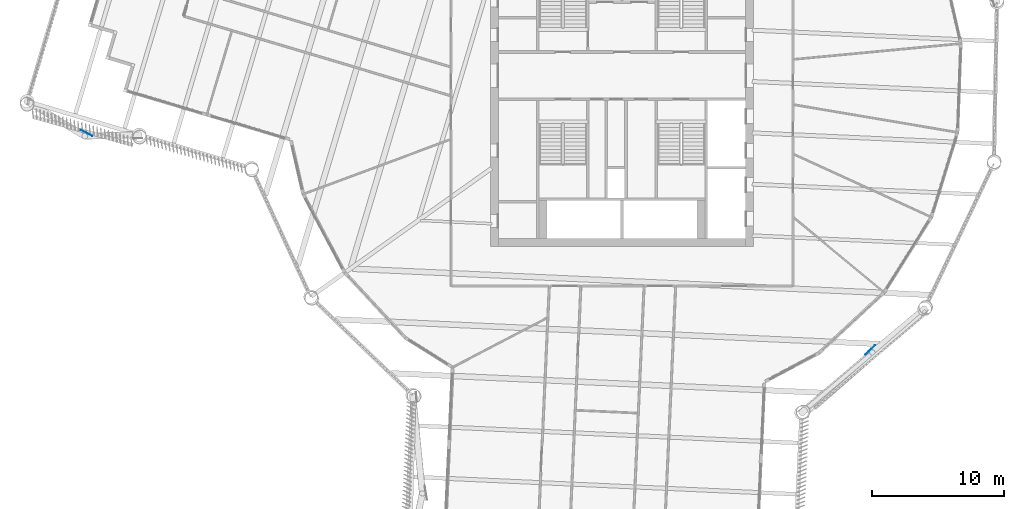
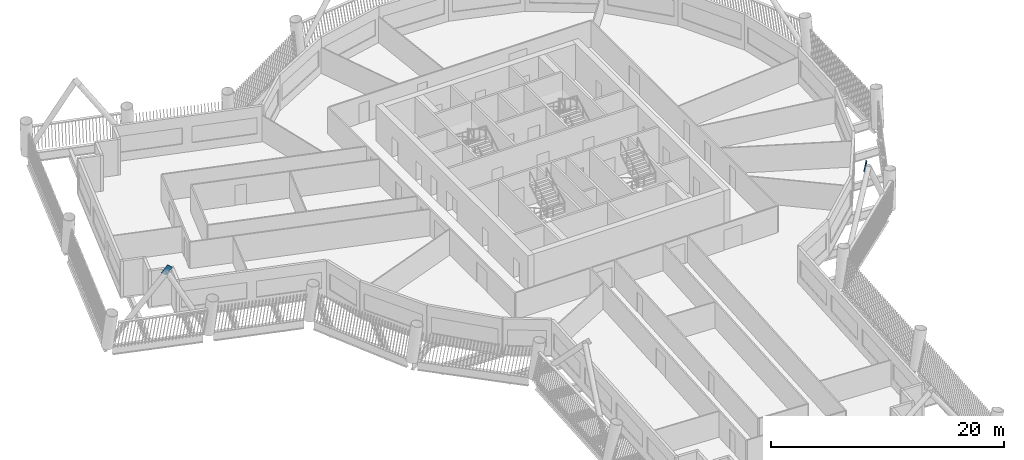
# One storey, part 9 of 24: 2 discrete accessories.
"""IFC4 building model written with IfcOpenShell, lengths in metres."""

from ifc_helpers import new_model, si_unit, direction, frame, origin, origin_2d, place, context, subcontext, project, spatial, rectangle, extrude, material, material_profile, profile_set, type_object, element, save


model = new_model("IFC4")

# Units and contexts
model_context = context("Model", 3, precision=1e-05, world=origin(), true_north=direction((0.0, 1.0)))
body_context = subcontext(model_context, "Body", "Model", "MODEL_VIEW")
ifc_project = project(units=[si_unit("LENGTHUNIT", "METRE"), si_unit("AREAUNIT", "SQUARE_METRE"), si_unit("VOLUMEUNIT", "CUBIC_METRE"), si_unit("PLANEANGLEUNIT", "RADIAN"), si_unit("MASSUNIT", "GRAM", prefix="KILO")], contexts=[model_context])

# Site, building, storey
site_placement = place(None, origin())
site = spatial("IfcSite", under=ifc_project, at=site_placement, CompositionType="ELEMENT")
building_placement = place(site_placement, origin())
building = spatial("IfcBuilding", under=site, at=building_placement, Name="Tarsis Ring Headquarters", CompositionType="ELEMENT")
storey_placement = place(building_placement, frame((0.0, 0.0, 216.0)))
storey = spatial("IfcBuildingStorey", under=building, at=storey_placement, Name="L50", CompositionType="ELEMENT", Elevation=216.0)

# Discrete accessories
ifc_material = material(Name="Structural steel S355", Category="steel")
ifc_material_profile = material_profile(ifc_material, rectangle(XDim=0.02490234375, YDim=0.5, at=origin_2d()), Name="PL 25x500")
ifc_profile_set = profile_set([ifc_material_profile], Name="Structural steel S355")
discrete_accessory_type = type_object("IfcDiscreteAccessoryType", Name="Gusset plate Exo brace 25", PredefinedType="BRACKET", material=ifc_profile_set)
for number, where, z_axis, x_axis, name in (
    (1, (18.6181640625, -21.102783203125, 7.4296875), (0.483878859525, 0.466056883367, 0.740710625529), (-0.693718500145, 0.720246237447, 0.0), "Gusset plate GP5"),
    (2, (-40.96728515625, -4.23583984375, 7.38134765625), (0.48506489401, -0.252175156272, 0.83732893128), (0.461268376976, 0.887260663166, 0.0), "Gusset plate GP5"),
):
    element("IfcDiscreteAccessory", number, at=place(storey_placement, frame(where, z_axis=z_axis, x_axis=x_axis)), inside=storey, type_object=discrete_accessory_type, Name=name, PredefinedType="BRACKET", context=body_context, shape_type="SweptSolid", body=[
        extrude(rectangle(XDim=0.02490234375, YDim=0.5, at=origin_2d()), origin(), (0.0, 0.0, 1.0), 1.0),
    ])

save(model, "model.ifc")
